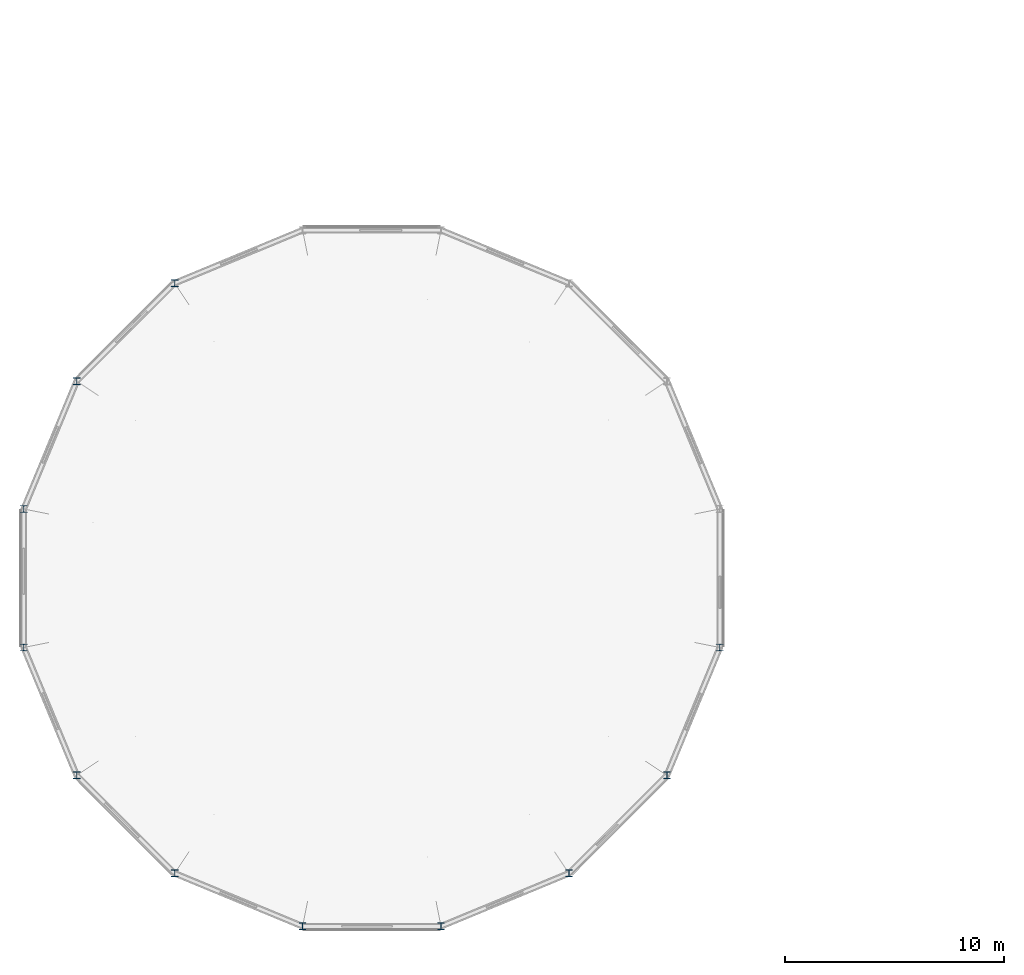
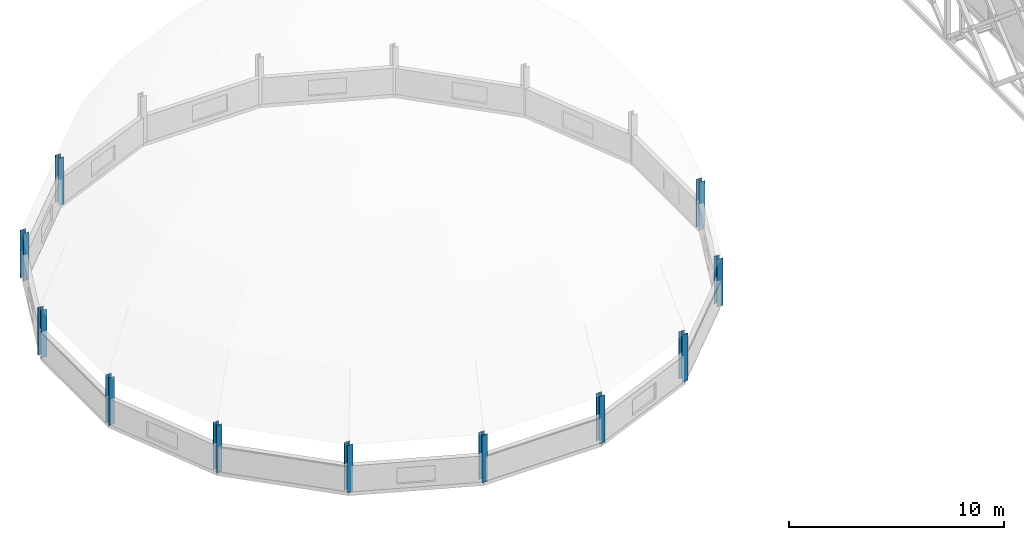
# One storey, part 1 of 66: 11 columns.
"""IFC4 building model written with IfcOpenShell, lengths in metres."""

from ifc_helpers import new_model, si_unit, direction, frame, origin, origin_2d, place, context, subcontext, project, spatial, i_section, extrude, material, material_profile, profile_set, type_object, element, save


model = new_model("IFC4")

# Units and contexts
model_context = context("Model", 3, precision=1e-05, world=origin(), true_north=direction((0.0, 1.0)))
body_context = subcontext(model_context, "Body", "Model", "MODEL_VIEW")
ifc_project = project(units=[si_unit("LENGTHUNIT", "METRE"), si_unit("AREAUNIT", "SQUARE_METRE"), si_unit("VOLUMEUNIT", "CUBIC_METRE"), si_unit("PLANEANGLEUNIT", "RADIAN"), si_unit("MASSUNIT", "GRAM", prefix="KILO"), si_unit("THERMODYNAMICTEMPERATUREUNIT", "KELVIN"), si_unit("POWERUNIT", "WATT")], contexts=[model_context])

# Site, building, storey
site_placement = place(None, origin())
site = spatial("IfcSite", under=ifc_project, at=site_placement, CompositionType="ELEMENT")
building_placement = place(site_placement, origin())
building = spatial("IfcBuilding", under=site, at=building_placement, Name="Tallowbark Science Centre", CompositionType="ELEMENT")
storey_placement = place(building_placement, frame((0.0, 0.0, 18.89990234375)))
storey = spatial("IfcBuildingStorey", under=building, at=storey_placement, Name="L04", CompositionType="ELEMENT", Elevation=18.89990234375)

# Columns
ifc_material = material(Name="Structural Steel Grade 300PLUS (300 MPa)", Category="steel")
ifc_material_profile = material_profile(ifc_material, i_section(OverallWidth=0.307373046875, OverallDepth=0.314697265625, WebThickness=0.011962890625, FlangeThickness=0.018798828125, FilletRadius=0.0166015625, at=origin_2d()), Name="310UC118")
ifc_profile_set = profile_set([ifc_material_profile], Name="Structural Steel Grade 300PLUS (300 MPa)")
column_type = type_object("IfcColumnType", Name="PIL-UC310", PredefinedType="PILASTER", material=ifc_profile_set)
for number, where, z_axis, x_axis, name in (
    (1, (13.499755859375, 31.4697265625, 0.0), (0.0, 0.0, 1.0), (1.0, 0.0, 0.0), "Column DRM-P06 L04"),
    (2, (9.0302734375, 27.000244140625, 0.0), (0.0, 0.0, 1.0), (1.0, 0.0, 0.0), "Column DRM-P07 L04"),
    (3, (6.611328125, 21.160400390625, 0.0), (0.0, 0.0, 1.0), (1.0, 0.0, 0.0), "Column DRM-P08 L04"),
    (4, (6.611328125, 14.839599609375, 0.0), (0.0, 0.0, 1.0), (1.0, 0.0, 0.0), "Column DRM-P09 L04"),
    (5, (9.0302734375, 8.999755859375, 0.0), (0.0, 0.0, 1.0), (1.0, 0.0, 0.0), "Column DRM-P10 L04"),
    (6, (13.499755859375, 4.5302734375, 0.0), (0.0, 0.0, 1.0), (1.0, 0.0, 0.0), "Column DRM-P11 L04"),
    (7, (19.339599609375, 2.111328125, 0.0), (0.0, 0.0, 1.0), (1.0, 0.0, 0.0), "Column DRM-P12 L04"),
    (8, (25.660400390625, 2.111328125, 0.0), (0.0, 0.0, 1.0), (1.0, 0.0, 0.0), "Column DRM-P13 L04"),
    (9, (31.500244140625, 4.5302734375, 0.0), (0.0, 0.0, 1.0), (1.0, 0.0, 0.0), "Column DRM-P14 L04"),
    (10, (35.9697265625, 8.999755859375, 0.0), (0.0, 0.0, 1.0), (1.0, 0.0, 0.0), "Column DRM-P15 L04"),
    (11, (38.388671875, 14.839599609375, 0.0), (0.0, 0.0, 1.0), (1.0, 0.0, 0.0), "Column DRM-P16 L04"),
):
    element("IfcColumn", number, at=place(storey_placement, frame(where, z_axis=z_axis, x_axis=x_axis)), inside=storey, type_object=column_type, Name=name, PredefinedType="PILASTER", context=body_context, shape_type="SweptSolid", body=[
        extrude(i_section(OverallWidth=0.307373046875, OverallDepth=0.314697265625, WebThickness=0.011962890625, FlangeThickness=0.018798828125, FilletRadius=0.0166015625, at=origin_2d()), origin(), (0.0, 0.0, 1.0), 2.7001953125),
    ])

save(model, "model.ifc")
